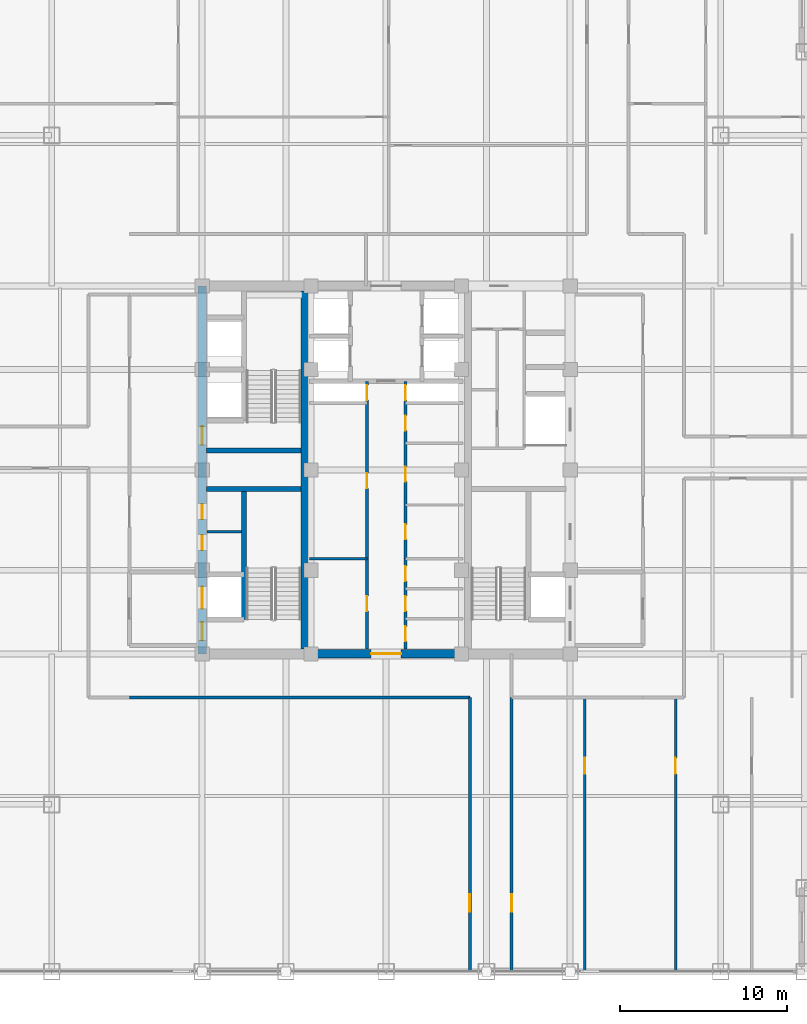
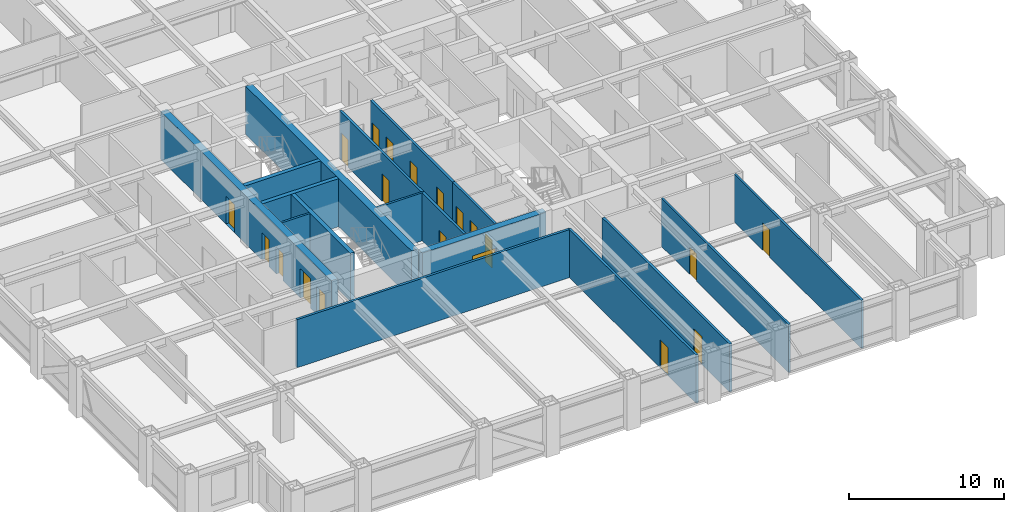
# One storey, part 20 of 25: 20 doors, 17 walls, 20 openings.
"""IFC4 building model written with IfcOpenShell, lengths in metres."""

from ifc_helpers import new_model, si_unit, direction, frame, frame_2d, origin, place, context, subcontext, project, spatial, rectangle, extrude, source, transform, mapped, material, layer, layer_set, type_object, element, fill, save


model = new_model("IFC4")

# Units and contexts
model_context = context("Model", 3, precision=1e-05, world=origin(), true_north=direction((0.0, 1.0)))
body_context = subcontext(model_context, "Body", "Model", "MODEL_VIEW")
ifc_project = project(units=[si_unit("LENGTHUNIT", "METRE"), si_unit("AREAUNIT", "SQUARE_METRE"), si_unit("VOLUMEUNIT", "CUBIC_METRE"), si_unit("PLANEANGLEUNIT", "RADIAN"), si_unit("MASSUNIT", "GRAM", prefix="KILO")], contexts=[model_context])

# Site, building, storey
site_placement = place(None, origin())
site = spatial("IfcSite", under=ifc_project, at=site_placement, CompositionType="ELEMENT")
building_placement = place(site_placement, origin())
building = spatial("IfcBuilding", under=site, at=building_placement, Name="Khorayat Bourse Tower", CompositionType="ELEMENT")
storey_placement = place(building_placement, frame((0.0, 0.0, 227.10009765625)))
storey = spatial("IfcBuildingStorey", under=building, at=storey_placement, Name="L53", CompositionType="ELEMENT", Elevation=227.10009765625)

# Wall
ifc_material_1 = material(Name="Concrete C52/65", Category="concrete")
ifc_layer_1 = layer(ifc_material_1, 0.5)
ifc_layer_set_1 = layer_set([ifc_layer_1], Name="Concrete C52/65")
wall_type_1 = type_object("IfcWallType", Name="WAL-CORE-500", PredefinedType="SHEAR", material=ifc_layer_set_1)
shared_shape_1 = source(origin(), body_context, "Body", "SweptSolid", [
    extrude(rectangle(XDim=21.39990234375, YDim=0.5, at=frame_2d((10.699951171875, 0.0))), origin(), (0.0, 0.0, 1.0), 3.77978515625),
])
wall_1_placement = place(storey_placement, frame((-4.85009765625, -10.699951171875, 0.0), z_axis=(0.0, 0.0, 1.0), x_axis=(0.0, 1.0, 0.0)))
element("IfcWall", 1, at=wall_1_placement, inside=storey, type_object=wall_type_1, Name="L53 Core Shear Wall PIER-W", PredefinedType="SHEAR", context=body_context, shape_type="MappedRepresentation", body=[
    mapped(shared_shape_1, transform((0.0, 0.0, 0.0), scale=1.0)),
])

# Wall, opening, door
shared_shape_2 = source(origin(), body_context, "Body", "SweptSolid", [
    extrude(rectangle(XDim=9.2001953125, YDim=0.5, at=frame_2d((4.60009765625, 0.0))), origin(), (0.0, 0.0, 1.0), 3.77978515625),
])
wall_2_placement = place(storey_placement, frame((-4.60009765625, -11.0, 0.0), z_axis=(0.0, 0.0, 1.0), x_axis=(1.0, 0.0, 0.0)))
wall_2 = element("IfcWall", 2, at=wall_2_placement, inside=storey, type_object=wall_type_1, Name="L53 Core Shear Wall CORE-S", PredefinedType="SHEAR", context=body_context, shape_type="MappedRepresentation", body=[
    mapped(shared_shape_2, transform((0.0, 0.0, 0.0), scale=1.0)),
])
shared_shape_3 = source(origin(), body_context, "Body", "SweptSolid", [
    extrude(rectangle(XDim=1.800048828125, YDim=2.25, at=frame_2d((0.89990234375, 1.125))), frame((0.0, 0.260009765625, 0.0), z_axis=(0.0, -1.0, 0.0), x_axis=(1.0, 0.0, 0.0)), (0.0, 0.0, 1.0), 0.52001953125),
])
opening_1_placement = place(wall_2_placement, frame((3.699951171875, 0.0, 0.0)))
opening_1 = element("IfcOpeningElement", 3, at=opening_1_placement, cuts=wall_2, Name="Opening DI-03", PredefinedType="OPENING", context=body_context, shape_type="MappedRepresentation", body=[
    mapped(shared_shape_3, transform((0.0, 0.0, 0.0), scale=1.0)),
])
ifc_material_2 = material(Name="Fire-rated hardwood vision-panel double leaf", Category="wood")
door_type_1 = type_object("IfcDoorType", Name="DR-INT-CORR-1800", OperationType="NOTDEFINED", PredefinedType="DOOR", material=ifc_material_2)
shared_shape_4 = source(origin(), body_context, "Body", "SweptSolid", [
    extrude(rectangle(XDim=1.800048828125, YDim=2.25, at=frame_2d((0.89990234375, 1.125))), frame((0.0, 0.02490234375, 0.0), z_axis=(0.0, -1.0, 0.0), x_axis=(1.0, 0.0, 0.0)), (0.0, 0.0, 1.0), 0.050048828125),
])
door_1_placement = place(opening_1_placement, origin())
door_1 = element("IfcDoor", 4, at=door_1_placement, inside=storey, type_object=door_type_1, Name="L53 Central Core South Passage Door", OperationType="SINGLE_SWING_LEFT", OverallHeight=2.25, OverallWidth=1.800048828125, PredefinedType="DOOR", context=body_context, shape_type="MappedRepresentation", body=[
    mapped(shared_shape_4, transform((0.0, 0.0, 0.0), scale=1.0)),
])
fill(opening_1, door_1)

# Wall, openings, doors
shared_shape_5 = source(origin(), body_context, "Body", "SweptSolid", [
    extrude(rectangle(XDim=22.0, YDim=0.5, at=frame_2d((11.0, 0.0))), origin(), (0.0, 0.0, 1.0), 3.77978515625),
])
wall_3_placement = place(storey_placement, frame((-11.0, -11.0, 0.0), z_axis=(0.0, 0.0, 1.0), x_axis=(0.0, 1.0, 0.0)))
wall_3 = element("IfcWall", 5, at=wall_3_placement, inside=storey, type_object=wall_type_1, Name="L53 Core Shear Wall CORE-W", PredefinedType="SHEAR", context=body_context, shape_type="MappedRepresentation", body=[
    mapped(shared_shape_5, transform((0.0, 0.0, 0.0), scale=1.0)),
])
shared_shape_6 = source(origin(), body_context, "Body", "SweptSolid", [
    extrude(rectangle(XDim=1.10009765625, YDim=2.199951171875, at=frame_2d((0.550048828125, 1.10009765625))), frame((0.0, 0.260009765625, 0.0), z_axis=(0.0, -1.0, 0.0), x_axis=(1.0, 0.0, 0.0)), (0.0, 0.0, 1.0), 0.52001953125),
])
opening_2_placement = place(wall_3_placement, frame((0.800048828125, 0.0, 0.0)))
opening_2 = element("IfcOpeningElement", 6, at=opening_2_placement, cuts=wall_3, Name="Opening DI-01", PredefinedType="OPENING", context=body_context, shape_type="MappedRepresentation", body=[
    mapped(shared_shape_6, transform((0.0, 0.0, 0.0), scale=1.0)),
])
opening_3_placement = place(wall_3_placement, frame((12.5, 0.0, 0.0)))
opening_3 = element("IfcOpeningElement", 7, at=opening_3_placement, cuts=wall_3, Name="Opening DI-01", PredefinedType="OPENING", context=body_context, shape_type="MappedRepresentation", body=[
    mapped(shared_shape_6, transform((0.0, 0.0, 0.0), scale=1.0)),
])
shared_shape_7 = source(origin(), body_context, "Body", "SweptSolid", [
    extrude(rectangle(XDim=0.89990234375, YDim=2.14990234375, at=frame_2d((0.449951171875, 1.074951171875))), frame((0.0, 0.260009765625, 0.0), z_axis=(0.0, -1.0, 0.0), x_axis=(1.0, 0.0, 0.0)), (0.0, 0.0, 1.0), 0.52001953125),
])
opening_4_placement = place(wall_3_placement, frame((6.199951171875, 0.0, 0.0)))
opening_4 = element("IfcOpeningElement", 8, at=opening_4_placement, cuts=wall_3, Name="Opening DI-06", PredefinedType="OPENING", context=body_context, shape_type="MappedRepresentation", body=[
    mapped(shared_shape_7, transform((0.0, 0.0, 0.0), scale=1.0)),
])
opening_5_placement = place(wall_3_placement, frame((8.050048828125, 0.0, 0.0)))
opening_5 = element("IfcOpeningElement", 9, at=opening_5_placement, cuts=wall_3, Name="Opening DI-06", PredefinedType="OPENING", context=body_context, shape_type="MappedRepresentation", body=[
    mapped(shared_shape_7, transform((0.0, 0.0, 0.0), scale=1.0)),
])
shared_shape_8 = source(origin(), body_context, "Body", "SweptSolid", [
    extrude(rectangle(XDim=1.300048828125, YDim=2.300048828125, at=frame_2d((0.64990234375, 1.14990234375))), frame((0.0, 0.260009765625, 0.0), z_axis=(0.0, -1.0, 0.0), x_axis=(1.0, 0.0, 0.0)), (0.0, 0.0, 1.0), 0.52001953125),
])
opening_6_placement = place(wall_3_placement, frame((2.699951171875, 0.0, 0.0)))
opening_6 = element("IfcOpeningElement", 10, at=opening_6_placement, cuts=wall_3, Name="Opening LD-02", PredefinedType="OPENING", context=body_context, shape_type="MappedRepresentation", body=[
    mapped(shared_shape_8, transform((0.0, 0.0, 0.0), scale=1.0)),
])
ifc_material_3 = material(Name="Fire-rated steel acoustic leaf", Category="steel")
door_type_2 = type_object("IfcDoorType", Name="DR-INT-STAIR-1100", OperationType="NOTDEFINED", PredefinedType="DOOR", material=ifc_material_3)
shared_shape_9 = source(origin(), body_context, "Body", "SweptSolid", [
    extrude(rectangle(XDim=1.10009765625, YDim=2.199951171875, at=frame_2d((0.550048828125, 1.10009765625))), frame((0.0, 0.02490234375, 0.0), z_axis=(0.0, -1.0, 0.0), x_axis=(1.0, 0.0, 0.0)), (0.0, 0.0, 1.0), 0.050048828125),
])
door_2_placement = place(opening_2_placement, origin())
door_2 = element("IfcDoor", 11, at=door_2_placement, inside=storey, type_object=door_type_2, Name="L53 Exit Stair 1 Door", OperationType="SINGLE_SWING_RIGHT", OverallHeight=2.199951171875, OverallWidth=1.10009765625, PredefinedType="DOOR", context=body_context, shape_type="MappedRepresentation", body=[
    mapped(shared_shape_9, transform((0.0, 0.0, 0.0), scale=1.0)),
])
fill(opening_2, door_2)
door_3_placement = place(opening_3_placement, origin())
door_3 = element("IfcDoor", 12, at=door_3_placement, inside=storey, type_object=door_type_2, Name="L53 Exit Stair 2 Door", OperationType="SINGLE_SWING_RIGHT", OverallHeight=2.199951171875, OverallWidth=1.10009765625, PredefinedType="DOOR", context=body_context, shape_type="MappedRepresentation", body=[
    mapped(shared_shape_9, transform((0.0, 0.0, 0.0), scale=1.0)),
])
fill(opening_3, door_3)
ifc_material_4 = material(Name="Moisture-resistant laminate washroom door")
door_type_3 = type_object("IfcDoorType", Name="DR-INT-WC-900", OperationType="NOTDEFINED", PredefinedType="DOOR", material=ifc_material_4)
shared_shape_10 = source(origin(), body_context, "Body", "SweptSolid", [
    extrude(rectangle(XDim=0.89990234375, YDim=2.14990234375, at=frame_2d((0.449951171875, 1.074951171875))), frame((0.0, 0.02490234375, 0.0), z_axis=(0.0, -1.0, 0.0), x_axis=(1.0, 0.0, 0.0)), (0.0, 0.0, 1.0), 0.050048828125),
])
door_4_placement = place(opening_4_placement, origin())
door_4 = element("IfcDoor", 13, at=door_4_placement, inside=storey, type_object=door_type_3, Name="L53 Electrical Plant Room Door", OperationType="SINGLE_SWING_RIGHT", OverallHeight=2.14990234375, OverallWidth=0.89990234375, PredefinedType="DOOR", context=body_context, shape_type="MappedRepresentation", body=[
    mapped(shared_shape_10, transform((0.0, 0.0, 0.0), scale=1.0)),
])
fill(opening_4, door_4)
door_5_placement = place(opening_5_placement, origin())
door_5 = element("IfcDoor", 14, at=door_5_placement, inside=storey, type_object=door_type_3, Name="L53 Cleaner Storage Room Door", OperationType="SINGLE_SWING_LEFT", OverallHeight=2.14990234375, OverallWidth=0.89990234375, PredefinedType="DOOR", context=body_context, shape_type="MappedRepresentation", body=[
    mapped(shared_shape_10, transform((0.0, 0.0, 0.0), scale=1.0)),
])
fill(opening_5, door_5)
ifc_material_5 = material(Name="Fire-rated stainless-steel sliding landing door", Category="steel")
door_type_4 = type_object("IfcDoorType", Name="DR-LIFT-FF-1300", OperationType="NOTDEFINED", PredefinedType="DOOR", material=ifc_material_5)
shared_shape_11 = source(origin(), body_context, "Body", "SweptSolid", [
    extrude(rectangle(XDim=1.300048828125, YDim=2.300048828125, at=frame_2d((0.64990234375, 1.14990234375))), frame((0.0, 0.02490234375, 0.0), z_axis=(0.0, -1.0, 0.0), x_axis=(1.0, 0.0, 0.0)), (0.0, 0.0, 1.0), 0.050048828125),
])
door_6_placement = place(opening_6_placement, origin())
door_6 = element("IfcDoor", 15, at=door_6_placement, inside=storey, type_object=door_type_4, Name="L53 Lift FFL-01 Sliding Landing Door", OperationType="SLIDING_TO_LEFT", OverallHeight=2.300048828125, OverallWidth=1.300048828125, PredefinedType="DOOR", context=body_context, shape_type="MappedRepresentation", body=[
    mapped(shared_shape_11, transform((0.0, 0.0, 0.0), scale=1.0)),
])
fill(opening_6, door_6)

# Walls
ifc_material_6 = material(Name="Concrete C50/60", Category="concrete")
ifc_layer_2 = layer(ifc_material_6, 0.300048828125)
ifc_layer_set_2 = layer_set([ifc_layer_2], Name="Concrete C50/60")
wall_type_2 = type_object("IfcWallType", Name="WAL-SHAFT-300", PredefinedType="SHEAR", material=ifc_layer_set_2)
shared_shape_12 = source(origin(), body_context, "Body", "SweptSolid", [
    extrude(rectangle(XDim=5.64990234375, YDim=0.300048828125, at=frame_2d((2.824951171875, 0.0))), origin(), (0.0, 0.0, 1.0), 3.77978515625),
])
for number, where, z_axis, x_axis, name in (
    (16, (-10.75, -1.14990234375, 0.0), (0.0, 0.0, 1.0), (1.0, 0.0, 0.0), "L53 Core Shear Wall ST1-DIV"),
    (17, (-10.75, 1.14990234375, 0.0), (0.0, 0.0, 1.0), (1.0, 0.0, 0.0), "L53 Core Shear Wall ST2-DIV"),
):
    element("IfcWall", number, at=place(storey_placement, frame(where, z_axis=z_axis, x_axis=x_axis)), inside=storey, type_object=wall_type_2, Name=name, PredefinedType="SHEAR", context=body_context, shape_type="MappedRepresentation", body=[
        mapped(shared_shape_12, transform((0.0, 0.0, 0.0), scale=1.0)),
    ])
shared_shape_13 = source(origin(), body_context, "Body", "SweptSolid", [
    extrude(rectangle(XDim=7.800048828125, YDim=0.300048828125, at=frame_2d((3.89990234375, 0.0))), origin(), (0.0, 0.0, 1.0), 3.77978515625),
])
wall_4_placement = place(storey_placement, frame((-8.5, -8.949951171875, 0.0), z_axis=(0.0, 0.0, 1.0), x_axis=(0.0, 1.0, 0.0)))
element("IfcWall", 18, at=wall_4_placement, inside=storey, type_object=wall_type_2, Name="L53 Partition WAL-L53-WPIER-SP", PredefinedType="SHEAR", context=body_context, shape_type="MappedRepresentation", body=[
    mapped(shared_shape_13, transform((0.0, 0.0, 0.0), scale=1.0)),
])
ifc_material_7 = material(Name="Gypsum plasterboard twin-frame partition")
ifc_layer_3 = layer(ifc_material_7, 0.14990234375)
ifc_layer_set_3 = layer_set([ifc_layer_3], Name="Gypsum plasterboard twin-frame partition")
wall_type_3 = type_object("IfcWallType", Name="WAL-PART-SUITE-150", PredefinedType="PARTITIONING", material=ifc_layer_set_3)
shared_shape_14 = source(origin(), body_context, "Body", "SweptSolid", [
    extrude(rectangle(XDim=2.050048828125, YDim=0.14990234375, at=frame_2d((1.02490234375, 0.0))), origin(), (0.0, 0.0, 1.0), 3.77978515625),
])
wall_5_placement = place(storey_placement, frame((-10.699951171875, -3.699951171875, 0.0), z_axis=(0.0, 0.0, 1.0), x_axis=(1.0, 0.0, 0.0)))
element("IfcWall", 19, at=wall_5_placement, inside=storey, type_object=wall_type_3, Name="L53 Partition WAL-L53-WSRV-D1", PredefinedType="PARTITIONING", context=body_context, shape_type="MappedRepresentation", body=[
    mapped(shared_shape_14, transform((0.0, 0.0, 0.0), scale=1.0)),
])
shared_shape_15 = source(origin(), body_context, "Body", "SweptSolid", [
    extrude(rectangle(XDim=3.4501953125, YDim=0.14990234375, at=frame_2d((1.72509765625, 0.0))), origin(), (0.0, 0.0, 1.0), 3.77978515625),
])
wall_6_placement = place(storey_placement, frame((-4.60009765625, -5.300048828125, 0.0), z_axis=(0.0, 0.0, 1.0), x_axis=(1.0, 0.0, 0.0)))
element("IfcWall", 20, at=wall_6_placement, inside=storey, type_object=wall_type_3, Name="L53 Partition WAL-L53-FB1-NW", PredefinedType="PARTITIONING", context=body_context, shape_type="MappedRepresentation", body=[
    mapped(shared_shape_15, transform((0.0, 0.0, 0.0), scale=1.0)),
])

# Wall, opening, door
ifc_material_8 = material(Name="Gypsum plasterboard acoustic stud wall")
ifc_layer_4 = layer(ifc_material_8, 0.179931640625)
ifc_layer_set_4 = layer_set([ifc_layer_4], Name="Gypsum plasterboard acoustic stud wall")
wall_type_4 = type_object("IfcWallType", Name="WAL-PART-CORR-180", PredefinedType="PARTITIONING", material=ifc_layer_set_4)
shared_shape_16 = source(origin(), body_context, "Body", "SweptSolid", [
    extrude(rectangle(XDim=5.39990234375, YDim=0.179931640625, at=frame_2d((2.699951171875, 0.0))), origin(), (0.0, 0.0, 1.0), 3.77978515625),
])
wall_7_placement = place(storey_placement, frame((-1.14990234375, -10.699951171875, 0.0), z_axis=(0.0, 0.0, 1.0), x_axis=(0.0, 1.0, 0.0)))
wall_7 = element("IfcWall", 21, at=wall_7_placement, inside=storey, type_object=wall_type_4, Name="L53 Partition WAL-L53-FB1W-L", PredefinedType="PARTITIONING", context=body_context, shape_type="MappedRepresentation", body=[
    mapped(shared_shape_16, transform((0.0, 0.0, 0.0), scale=1.0)),
])
shared_shape_17 = source(origin(), body_context, "Body", "SweptSolid", [
    extrude(rectangle(XDim=0.89990234375, YDim=2.14990234375, at=frame_2d((0.449951171875, 1.074951171875))), frame((0.0, 0.099853515625, 0.0), z_axis=(0.0, -1.0, 0.0), x_axis=(1.0, 0.0, 0.0)), (0.0, 0.0, 1.0), 0.199951171875),
])
opening_7_placement = place(wall_7_placement, frame((2.25, 0.0, 0.0)))
opening_7 = element("IfcOpeningElement", 22, at=opening_7_placement, cuts=wall_7, Name="Opening DI-06", PredefinedType="OPENING", context=body_context, shape_type="MappedRepresentation", body=[
    mapped(shared_shape_17, transform((0.0, 0.0, 0.0), scale=1.0)),
])
door_7_placement = place(opening_7_placement, origin())
door_7 = element("IfcDoor", 23, at=door_7_placement, inside=storey, type_object=door_type_3, Name="L53 IT Comms Server Plant Room Door", OperationType="SINGLE_SWING_RIGHT", OverallHeight=2.14990234375, OverallWidth=0.89990234375, PredefinedType="DOOR", context=body_context, shape_type="MappedRepresentation", body=[
    mapped(shared_shape_10, transform((0.0, 0.0, 0.0), scale=1.0)),
])
fill(opening_7, door_7)

# Wall, openings, doors
wall_8_placement = place(storey_placement, frame((1.14990234375, -10.699951171875, 0.0), z_axis=(0.0, 0.0, 1.0), x_axis=(0.0, 1.0, 0.0)))
wall_8 = element("IfcWall", 24, at=wall_8_placement, inside=storey, type_object=wall_type_4, Name="L53 Partition WAL-L53-FB1E-L", PredefinedType="PARTITIONING", context=body_context, shape_type="MappedRepresentation", body=[
    mapped(shared_shape_16, transform((0.0, 0.0, 0.0), scale=1.0)),
])
opening_8_placement = place(wall_8_placement, frame((0.449951171875, 0.0, 0.0)))
opening_8 = element("IfcOpeningElement", 25, at=opening_8_placement, cuts=wall_8, Name="Opening DI-06", PredefinedType="OPENING", context=body_context, shape_type="MappedRepresentation", body=[
    mapped(shared_shape_17, transform((0.0, 0.0, 0.0), scale=1.0)),
])
opening_9_placement = place(wall_8_placement, frame((2.25, 0.0, 0.0)))
opening_9 = element("IfcOpeningElement", 26, at=opening_9_placement, cuts=wall_8, Name="Opening DI-06", PredefinedType="OPENING", context=body_context, shape_type="MappedRepresentation", body=[
    mapped(shared_shape_17, transform((0.0, 0.0, 0.0), scale=1.0)),
])
opening_10_placement = place(wall_8_placement, frame((4.050048828125, 0.0, 0.0)))
opening_10 = element("IfcOpeningElement", 27, at=opening_10_placement, cuts=wall_8, Name="Opening DI-06", PredefinedType="OPENING", context=body_context, shape_type="MappedRepresentation", body=[
    mapped(shared_shape_17, transform((0.0, 0.0, 0.0), scale=1.0)),
])
door_8_placement = place(opening_8_placement, origin())
door_8 = element("IfcDoor", 28, at=door_8_placement, inside=storey, type_object=door_type_3, Name="L53 Stationery Store Door", OperationType="SINGLE_SWING_RIGHT", OverallHeight=2.14990234375, OverallWidth=0.89990234375, PredefinedType="DOOR", context=body_context, shape_type="MappedRepresentation", body=[
    mapped(shared_shape_10, transform((0.0, 0.0, 0.0), scale=1.0)),
])
fill(opening_8, door_8)
door_9_placement = place(opening_9_placement, origin())
door_9 = element("IfcDoor", 29, at=door_9_placement, inside=storey, type_object=door_type_3, Name="L53 Meter Closet Door", OperationType="SINGLE_SWING_LEFT", OverallHeight=2.14990234375, OverallWidth=0.89990234375, PredefinedType="DOOR", context=body_context, shape_type="MappedRepresentation", body=[
    mapped(shared_shape_10, transform((0.0, 0.0, 0.0), scale=1.0)),
])
fill(opening_9, door_9)
door_10_placement = place(opening_10_placement, origin())
door_10 = element("IfcDoor", 30, at=door_10_placement, inside=storey, type_object=door_type_3, Name="L53 Print Room Door", OperationType="SINGLE_SWING_RIGHT", OverallHeight=2.14990234375, OverallWidth=0.89990234375, PredefinedType="DOOR", context=body_context, shape_type="MappedRepresentation", body=[
    mapped(shared_shape_10, transform((0.0, 0.0, 0.0), scale=1.0)),
])
fill(opening_10, door_10)

shared_shape_18 = source(origin(), body_context, "Body", "SweptSolid", [
    extrude(rectangle(XDim=10.60009765625, YDim=0.179931640625, at=frame_2d((5.300048828125, 0.0))), origin(), (0.0, 0.0, 1.0), 3.77978515625),
])
wall_9_placement = place(storey_placement, frame((-1.14990234375, -5.300048828125, 0.0), z_axis=(0.0, 0.0, 1.0), x_axis=(0.0, 1.0, 0.0)))
wall_9 = element("IfcWall", 31, at=wall_9_placement, inside=storey, type_object=wall_type_4, Name="L53 Partition WAL-L53-CMW-L", PredefinedType="PARTITIONING", context=body_context, shape_type="MappedRepresentation", body=[
    mapped(shared_shape_18, transform((0.0, 0.0, 0.0), scale=1.0)),
])
opening_11_placement = place(wall_9_placement, frame((4.199951171875, 0.0, 0.0)))
opening_11 = element("IfcOpeningElement", 32, at=opening_11_placement, cuts=wall_9, Name="Opening DI-06", PredefinedType="OPENING", context=body_context, shape_type="MappedRepresentation", body=[
    mapped(shared_shape_17, transform((0.0, 0.0, 0.0), scale=1.0)),
])
opening_12_placement = place(wall_9_placement, frame((9.47509765625, 0.0, 0.0)))
opening_12 = element("IfcOpeningElement", 33, at=opening_12_placement, cuts=wall_9, Name="Opening DI-06", PredefinedType="OPENING", context=body_context, shape_type="MappedRepresentation", body=[
    mapped(shared_shape_17, transform((0.0, 0.0, 0.0), scale=1.0)),
])
door_11_placement = place(opening_11_placement, origin())
door_11 = element("IfcDoor", 34, at=door_11_placement, inside=storey, type_object=door_type_3, Name="L53 Male Core Washroom Door", OperationType="SINGLE_SWING_RIGHT", OverallHeight=2.14990234375, OverallWidth=0.89990234375, PredefinedType="DOOR", context=body_context, shape_type="MappedRepresentation", body=[
    mapped(shared_shape_10, transform((0.0, 0.0, 0.0), scale=1.0)),
])
fill(opening_11, door_11)
door_12_placement = place(opening_12_placement, origin())
door_12 = element("IfcDoor", 35, at=door_12_placement, inside=storey, type_object=door_type_3, Name="L53 West Core Riser Door", OperationType="SINGLE_SWING_LEFT", OverallHeight=2.14990234375, OverallWidth=0.89990234375, PredefinedType="DOOR", context=body_context, shape_type="MappedRepresentation", body=[
    mapped(shared_shape_10, transform((0.0, 0.0, 0.0), scale=1.0)),
])
fill(opening_12, door_12)

wall_10_placement = place(storey_placement, frame((1.14990234375, -5.300048828125, 0.0), z_axis=(0.0, 0.0, 1.0), x_axis=(0.0, 1.0, 0.0)))
wall_10 = element("IfcWall", 36, at=wall_10_placement, inside=storey, type_object=wall_type_4, Name="L53 Partition WAL-L53-CME-L", PredefinedType="PARTITIONING", context=body_context, shape_type="MappedRepresentation", body=[
    mapped(shared_shape_18, transform((0.0, 0.0, 0.0), scale=1.0)),
])
opening_13_placement = place(wall_10_placement, frame((1.14990234375, 0.0, 0.0)))
opening_13 = element("IfcOpeningElement", 37, at=opening_13_placement, cuts=wall_10, Name="Opening DI-06", PredefinedType="OPENING", context=body_context, shape_type="MappedRepresentation", body=[
    mapped(shared_shape_17, transform((0.0, 0.0, 0.0), scale=1.0)),
])
opening_14_placement = place(wall_10_placement, frame((4.60009765625, 0.0, 0.0)))
opening_14 = element("IfcOpeningElement", 38, at=opening_14_placement, cuts=wall_10, Name="Opening DI-06", PredefinedType="OPENING", context=body_context, shape_type="MappedRepresentation", body=[
    mapped(shared_shape_17, transform((0.0, 0.0, 0.0), scale=1.0)),
])
opening_15_placement = place(wall_10_placement, frame((7.64990234375, 0.0, 0.0)))
opening_15 = element("IfcOpeningElement", 39, at=opening_15_placement, cuts=wall_10, Name="Opening DI-06", PredefinedType="OPENING", context=body_context, shape_type="MappedRepresentation", body=[
    mapped(shared_shape_17, transform((0.0, 0.0, 0.0), scale=1.0)),
])
opening_16_placement = place(wall_10_placement, frame((9.47509765625, 0.0, 0.0)))
opening_16 = element("IfcOpeningElement", 40, at=opening_16_placement, cuts=wall_10, Name="Opening DI-06", PredefinedType="OPENING", context=body_context, shape_type="MappedRepresentation", body=[
    mapped(shared_shape_17, transform((0.0, 0.0, 0.0), scale=1.0)),
])
door_13_placement = place(opening_13_placement, origin())
door_13 = element("IfcDoor", 41, at=door_13_placement, inside=storey, type_object=door_type_3, Name="L53 Female Core Washroom Door", OperationType="SINGLE_SWING_RIGHT", OverallHeight=2.14990234375, OverallWidth=0.89990234375, PredefinedType="DOOR", context=body_context, shape_type="MappedRepresentation", body=[
    mapped(shared_shape_10, transform((0.0, 0.0, 0.0), scale=1.0)),
])
fill(opening_13, door_13)
door_14_placement = place(opening_14_placement, origin())
door_14 = element("IfcDoor", 42, at=door_14_placement, inside=storey, type_object=door_type_3, Name="L53 Cleaners Store Door", OperationType="SINGLE_SWING_LEFT", OverallHeight=2.14990234375, OverallWidth=0.89990234375, PredefinedType="DOOR", context=body_context, shape_type="MappedRepresentation", body=[
    mapped(shared_shape_10, transform((0.0, 0.0, 0.0), scale=1.0)),
])
fill(opening_14, door_14)
door_15_placement = place(opening_15_placement, origin())
door_15 = element("IfcDoor", 43, at=door_15_placement, inside=storey, type_object=door_type_3, Name="L53 Meter and BMS Plant Room Door", OperationType="SINGLE_SWING_RIGHT", OverallHeight=2.14990234375, OverallWidth=0.89990234375, PredefinedType="DOOR", context=body_context, shape_type="MappedRepresentation", body=[
    mapped(shared_shape_10, transform((0.0, 0.0, 0.0), scale=1.0)),
])
fill(opening_15, door_15)
door_16_placement = place(opening_16_placement, origin())
door_16 = element("IfcDoor", 44, at=door_16_placement, inside=storey, type_object=door_type_3, Name="L53 East Core Riser Door", OperationType="SINGLE_SWING_RIGHT", OverallHeight=2.14990234375, OverallWidth=0.89990234375, PredefinedType="DOOR", context=body_context, shape_type="MappedRepresentation", body=[
    mapped(shared_shape_10, transform((0.0, 0.0, 0.0), scale=1.0)),
])
fill(opening_16, door_16)

# Wall, opening, door
shared_shape_19 = source(origin(), body_context, "Body", "SweptSolid", [
    extrude(rectangle(XDim=16.39990234375, YDim=0.14990234375, at=frame_2d((8.199951171875, 0.0))), origin(), (0.0, 0.0, 1.0), 3.77978515625),
])
wall_11_placement = place(storey_placement, frame((11.875, -30.0, 0.0), z_axis=(0.0, 0.0, 1.0), x_axis=(0.0, 1.0, 0.0)))
wall_11 = element("IfcWall", 45, at=wall_11_placement, inside=storey, type_object=wall_type_3, Name="L53 Partition WAL-L53-QSEDV-1", PredefinedType="PARTITIONING", context=body_context, shape_type="MappedRepresentation", body=[
    mapped(shared_shape_19, transform((0.0, 0.0, 0.0), scale=1.0)),
])
shared_shape_20 = source(origin(), body_context, "Body", "SweptSolid", [
    extrude(rectangle(XDim=0.949951171875, YDim=2.14990234375, at=frame_2d((0.47509765625, 1.074951171875))), frame((0.0, 0.0849609375, 0.0), z_axis=(0.0, -1.0, 0.0), x_axis=(1.0, 0.0, 0.0)), (0.0, 0.0, 1.0), 0.169921875),
])
opening_17_placement = place(wall_11_placement, frame((11.824951171875, 0.0, 0.0)))
opening_17 = element("IfcOpeningElement", 46, at=opening_17_placement, cuts=wall_11, Name="Opening DI-05", PredefinedType="OPENING", context=body_context, shape_type="MappedRepresentation", body=[
    mapped(shared_shape_20, transform((0.0, 0.0, 0.0), scale=1.0)),
])
ifc_material_9 = material(Name="Acoustic oak veneer office door")
door_type_5 = type_object("IfcDoorType", Name="DR-INT-OFFICE-950", OperationType="NOTDEFINED", PredefinedType="DOOR", material=ifc_material_9)
shared_shape_21 = source(origin(), body_context, "Body", "SweptSolid", [
    extrude(rectangle(XDim=0.949951171875, YDim=2.14990234375, at=frame_2d((0.47509765625, 1.074951171875))), frame((0.0, 0.02490234375, 0.0), z_axis=(0.0, -1.0, 0.0), x_axis=(1.0, 0.0, 0.0)), (0.0, 0.0, 1.0), 0.050048828125),
])
door_17_placement = place(opening_17_placement, origin())
door_17 = element("IfcDoor", 47, at=door_17_placement, inside=storey, type_object=door_type_5, Name="L53 South-East Suite Link 1", OperationType="SINGLE_SWING_RIGHT", OverallHeight=2.14990234375, OverallWidth=0.949951171875, PredefinedType="DOOR", context=body_context, shape_type="MappedRepresentation", body=[
    mapped(shared_shape_21, transform((0.0, 0.0, 0.0), scale=1.0)),
])
fill(opening_17, door_17)

wall_12_placement = place(storey_placement, frame((17.300048828125, -30.0, 0.0), z_axis=(0.0, 0.0, 1.0), x_axis=(0.0, 1.0, 0.0)))
wall_12 = element("IfcWall", 48, at=wall_12_placement, inside=storey, type_object=wall_type_3, Name="L53 Partition WAL-L53-QSEDV-2", PredefinedType="PARTITIONING", context=body_context, shape_type="MappedRepresentation", body=[
    mapped(shared_shape_19, transform((0.0, 0.0, 0.0), scale=1.0)),
])
opening_18_placement = place(wall_12_placement, frame((11.824951171875, 0.0, 0.0)))
opening_18 = element("IfcOpeningElement", 49, at=opening_18_placement, cuts=wall_12, Name="Opening DI-05", PredefinedType="OPENING", context=body_context, shape_type="MappedRepresentation", body=[
    mapped(shared_shape_20, transform((0.0, 0.0, 0.0), scale=1.0)),
])
door_18_placement = place(opening_18_placement, origin())
door_18 = element("IfcDoor", 50, at=door_18_placement, inside=storey, type_object=door_type_5, Name="L53 South-East Suite Link 2", OperationType="SINGLE_SWING_LEFT", OverallHeight=2.14990234375, OverallWidth=0.949951171875, PredefinedType="DOOR", context=body_context, shape_type="MappedRepresentation", body=[
    mapped(shared_shape_21, transform((0.0, 0.0, 0.0), scale=1.0)),
])
fill(opening_18, door_18)

shared_shape_22 = source(origin(), body_context, "Body", "SweptSolid", [
    extrude(rectangle(XDim=16.39990234375, YDim=0.179931640625, at=frame_2d((8.199951171875, 0.0))), origin(), (0.0, 0.0, 1.0), 3.77978515625),
])
wall_13_placement = place(storey_placement, frame((5.0, -30.0, 0.0), z_axis=(0.0, 0.0, 1.0), x_axis=(0.0, 1.0, 0.0)))
wall_13 = element("IfcWall", 51, at=wall_13_placement, inside=storey, type_object=wall_type_4, Name="L53 Partition WAL-L53-QSW-SPK", PredefinedType="PARTITIONING", context=body_context, shape_type="MappedRepresentation", body=[
    mapped(shared_shape_22, transform((0.0, 0.0, 0.0), scale=1.0)),
])
shared_shape_23 = source(origin(), body_context, "Body", "SweptSolid", [
    extrude(rectangle(XDim=1.050048828125, YDim=2.199951171875, at=frame_2d((0.52490234375, 1.10009765625))), frame((0.0, 0.099853515625, 0.0), z_axis=(0.0, -1.0, 0.0), x_axis=(1.0, 0.0, 0.0)), (0.0, 0.0, 1.0), 0.199951171875),
])
opening_19_placement = place(wall_13_placement, frame((3.574951171875, 0.0, 0.0)))
opening_19 = element("IfcOpeningElement", 52, at=opening_19_placement, cuts=wall_13, Name="Opening DI-04", PredefinedType="OPENING", context=body_context, shape_type="MappedRepresentation", body=[
    mapped(shared_shape_23, transform((0.0, 0.0, 0.0), scale=1.0)),
])
ifc_material_10 = material(Name="Fire-rated oak veneer suite entrance door")
door_type_6 = type_object("IfcDoorType", Name="DR-INT-SUITE-1050", OperationType="NOTDEFINED", PredefinedType="DOOR", material=ifc_material_10)
shared_shape_24 = source(origin(), body_context, "Body", "SweptSolid", [
    extrude(rectangle(XDim=1.050048828125, YDim=2.199951171875, at=frame_2d((0.52490234375, 1.10009765625))), frame((0.0, 0.02490234375, 0.0), z_axis=(0.0, -1.0, 0.0), x_axis=(1.0, 0.0, 0.0)), (0.0, 0.0, 1.0), 0.050048828125),
])
door_19_placement = place(opening_19_placement, origin())
door_19 = element("IfcDoor", 53, at=door_19_placement, inside=storey, type_object=door_type_6, Name="L53 South-West Radial Spoke Entry", OperationType="SINGLE_SWING_LEFT", OverallHeight=2.199951171875, OverallWidth=1.050048828125, PredefinedType="DOOR", context=body_context, shape_type="MappedRepresentation", body=[
    mapped(shared_shape_24, transform((0.0, 0.0, 0.0), scale=1.0)),
])
fill(opening_19, door_19)

wall_14_placement = place(storey_placement, frame((7.5, -30.0, 0.0), z_axis=(0.0, 0.0, 1.0), x_axis=(0.0, 1.0, 0.0)))
wall_14 = element("IfcWall", 54, at=wall_14_placement, inside=storey, type_object=wall_type_4, Name="L53 Partition WAL-L53-QSE-SPK", PredefinedType="PARTITIONING", context=body_context, shape_type="MappedRepresentation", body=[
    mapped(shared_shape_22, transform((0.0, 0.0, 0.0), scale=1.0)),
])
opening_20_placement = place(wall_14_placement, frame((3.574951171875, 0.0, 0.0)))
opening_20 = element("IfcOpeningElement", 55, at=opening_20_placement, cuts=wall_14, Name="Opening DI-04", PredefinedType="OPENING", context=body_context, shape_type="MappedRepresentation", body=[
    mapped(shared_shape_23, transform((0.0, 0.0, 0.0), scale=1.0)),
])
door_20_placement = place(opening_20_placement, origin())
door_20 = element("IfcDoor", 56, at=door_20_placement, inside=storey, type_object=door_type_6, Name="L53 South-East Radial Spoke Entry", OperationType="SINGLE_SWING_LEFT", OverallHeight=2.199951171875, OverallWidth=1.050048828125, PredefinedType="DOOR", context=body_context, shape_type="MappedRepresentation", body=[
    mapped(shared_shape_24, transform((0.0, 0.0, 0.0), scale=1.0)),
])
fill(opening_20, door_20)

# Wall
shared_shape_25 = source(origin(), body_context, "Body", "SweptSolid", [
    extrude(rectangle(XDim=20.35009765625, YDim=0.179931640625, at=frame_2d((10.175048828125, 0.0))), origin(), (0.0, 0.0, 1.0), 3.77978515625),
])
wall_15_placement = place(storey_placement, frame((-15.35009765625, -13.60009765625, 0.0), z_axis=(0.0, 0.0, 1.0), x_axis=(1.0, 0.0, 0.0)))
element("IfcWall", 57, at=wall_15_placement, inside=storey, type_object=wall_type_4, Name="L53 Partition WAL-L53-QSW-HC", PredefinedType="PARTITIONING", context=body_context, shape_type="MappedRepresentation", body=[
    mapped(shared_shape_25, transform((0.0, 0.0, 0.0), scale=1.0)),
])

save(model, "model.ifc")
